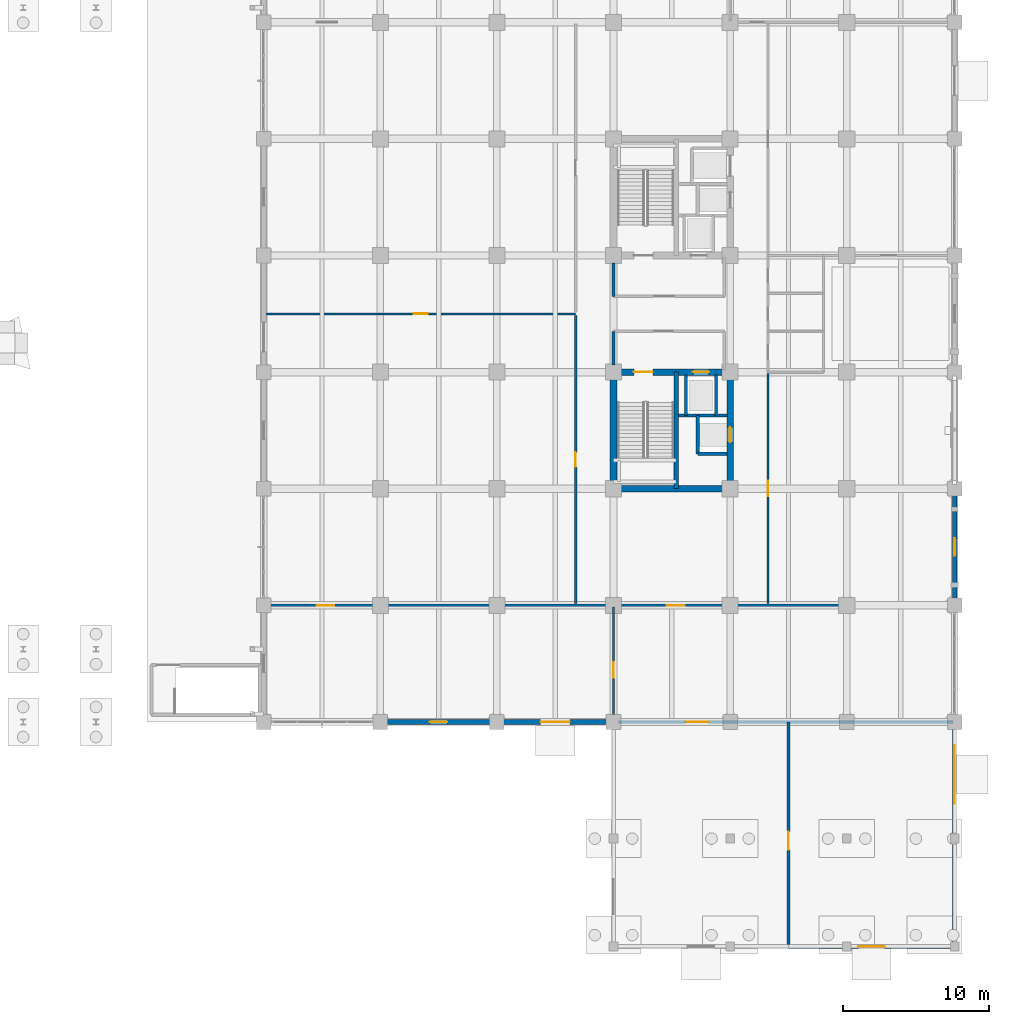
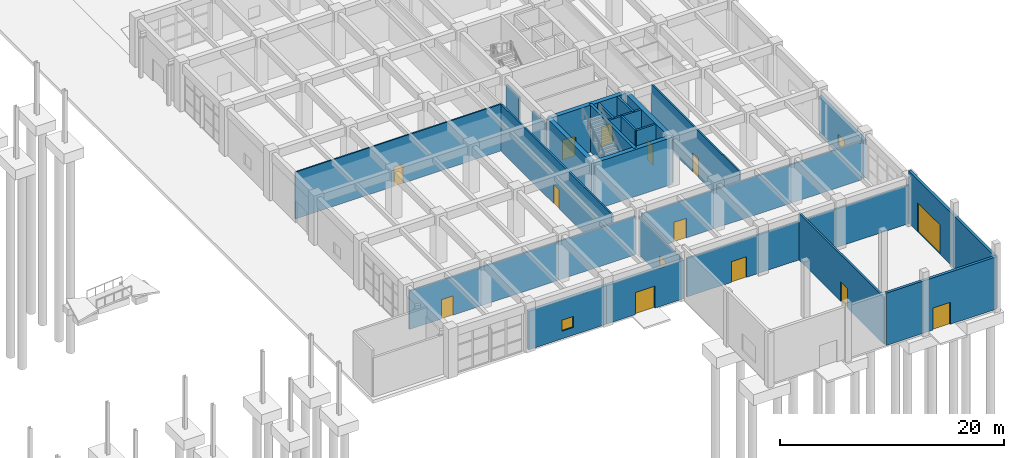
# One storey, part 76 of 90: 25 walls, 14 doors, 2 windows, 16 openings.
"""IFC4 building model written with IfcOpenShell, lengths in metres."""

from ifc_helpers import new_model, si_unit, direction, frame, frame_2d, origin, place, context, subcontext, project, spatial, rectangle, extrude, material, layer, layer_set, type_object, element, fill, save


model = new_model("IFC4")

# Units and contexts
model_context = context("Model", 3, precision=1e-05, world=origin(), true_north=direction((0.0, 1.0)))
body_context = subcontext(model_context, "Body", "Model", "MODEL_VIEW")
ifc_project = project(units=[si_unit("LENGTHUNIT", "METRE"), si_unit("AREAUNIT", "SQUARE_METRE"), si_unit("VOLUMEUNIT", "CUBIC_METRE"), si_unit("PLANEANGLEUNIT", "RADIAN"), si_unit("MASSUNIT", "GRAM", prefix="KILO")], contexts=[model_context])

# Site, building, storey
site_placement = place(None, origin())
site = spatial("IfcSite", under=ifc_project, at=site_placement, CompositionType="ELEMENT")
building_placement = place(site_placement, origin())
building = spatial("IfcBuilding", under=site, at=building_placement, Name="Canggui Botanical Conservatory", CompositionType="ELEMENT")
storey_placement = place(building_placement, origin())
storey = spatial("IfcBuildingStorey", under=building, at=storey_placement, Name="L01", CompositionType="ELEMENT", Elevation=0.0)

# Wall, opening, door
ifc_material_1 = material(Name="Precast Concrete C40", Category="concrete")
ifc_layer_1 = layer(ifc_material_1, 0.280029296875, Name="Precast Concrete C40", Category="concrete")
ifc_layer_set_1 = layer_set([ifc_layer_1], Name="Precast Concrete C40")
wall_type_1 = type_object("IfcWallType", Name="EW-280", PredefinedType="STANDARD", material=ifc_layer_set_1)
wall_1_placement = place(storey_placement, frame((177.39990234375, 10.60009765625, 0.0), z_axis=(0.0, 0.0, 1.0), x_axis=(-1.0, 0.0, 0.0)))
wall_1 = element("IfcWall", 1, at=wall_1_placement, inside=storey, type_object=wall_type_1, Name="South-East Wing Exterior Wall SE-S2", PredefinedType="STANDARD", context=body_context, shape_type="SweptSolid", body=[
    extrude(rectangle(XDim=11.39990234375, YDim=0.280029296875, at=frame_2d((5.699951171875, 0.0))), origin(), (0.0, 0.0, 1.0), 5.699951171875),
])
opening_1_placement = place(wall_1_placement, frame((4.800048828125, 0.0, 0.0)))
opening_1 = element("IfcOpeningElement", 2, at=opening_1_placement, cuts=wall_1, Name="Opening EX-B", PredefinedType="OPENING", context=body_context, shape_type="SweptSolid", body=[
    extrude(rectangle(XDim=1.800048828125, YDim=2.39990234375, at=frame_2d((0.89990234375, 1.199951171875))), frame((0.0, 0.14990234375, 0.0), z_axis=(0.0, -1.0, 0.0), x_axis=(1.0, 0.0, 0.0)), (0.0, 0.0, 1.0), 0.300048828125),
])
ifc_material_2 = material(Name="Anodised Aluminium", Category="aluminium")
door_type_1 = type_object("IfcDoorType", Name="EDR-EX18", OperationType="NOTDEFINED", PredefinedType="DOOR", material=ifc_material_2)
door_1_placement = place(opening_1_placement, origin())
door_1 = element("IfcDoor", 3, at=door_1_placement, inside=storey, type_object=door_type_1, Name="Fire Control and Quarantine Exit Door EX-07", OperationType="DOUBLE_DOOR_SINGLE_SWING", OverallHeight=2.39990234375, OverallWidth=1.800048828125, PredefinedType="DOOR", context=body_context, shape_type="SweptSolid", body=[
    extrude(rectangle(XDim=1.800048828125, YDim=2.39990234375, at=frame_2d((0.89990234375, 1.199951171875))), frame((0.0, 0.02490234375, 0.0), z_axis=(0.0, -1.0, 0.0), x_axis=(1.0, 0.0, 0.0)), (0.0, 0.0, 1.0), 0.050048828125),
])
fill(opening_1, door_1)

wall_2_placement = place(storey_placement, frame((177.39990234375, 26.0, 0.0), z_axis=(0.0, 0.0, 1.0), x_axis=(0.0, -1.0, 0.0)))
wall_2 = element("IfcWall", 4, at=wall_2_placement, inside=storey, type_object=wall_type_1, Name="South-East Wing Exterior Wall SE-E1", PredefinedType="STANDARD", context=body_context, shape_type="SweptSolid", body=[
    extrude(rectangle(XDim=15.39990234375, YDim=0.280029296875, at=frame_2d((7.699951171875, 0.0))), origin(), (0.0, 0.0, 1.0), 5.699951171875),
])
opening_2_placement = place(wall_2_placement, frame((1.60009765625, 0.0, 0.0)))
opening_2 = element("IfcOpeningElement", 5, at=opening_2_placement, cuts=wall_2, Name="Opening VG-02", PredefinedType="OPENING", context=body_context, shape_type="SweptSolid", body=[
    extrude(rectangle(XDim=4.0, YDim=3.199951171875, at=frame_2d((2.0, 1.60009765625))), frame((0.0, 0.14990234375, 0.0), z_axis=(0.0, -1.0, 0.0), x_axis=(1.0, 0.0, 0.0)), (0.0, 0.0, 1.0), 0.300048828125),
])
ifc_material_3 = material(Name="Powder-Coated Steel", Category="steel")
door_type_2 = type_object("IfcDoorType", Name="GATE-LDK", OperationType="NOTDEFINED", PredefinedType="GATE", material=ifc_material_3)
door_2_placement = place(opening_2_placement, origin())
door_2 = element("IfcDoor", 6, at=door_2_placement, inside=storey, type_object=door_type_2, Name="Quarantine Loading Dock Overhead Roller Shutter Gate VG-02", OperationType="ROLLINGUP", OverallHeight=3.199951171875, OverallWidth=4.0, PredefinedType="GATE", context=body_context, shape_type="SweptSolid", body=[
    extrude(rectangle(XDim=4.0, YDim=3.199951171875, at=frame_2d((2.0, 1.60009765625))), frame((0.0, 0.02490234375, 0.0), z_axis=(0.0, -1.0, 0.0), x_axis=(1.0, 0.0, 0.0)), (0.0, 0.0, 1.0), 0.050048828125),
])
fill(opening_2, door_2)

ifc_layer_2 = layer(ifc_material_1, 0.320068359375, Name="Precast Concrete C40", Category="concrete")
ifc_layer_set_2 = layer_set([ifc_layer_2], Name="Precast Concrete C40")
wall_type_2 = type_object("IfcWallType", Name="EW-320", PredefinedType="STANDARD", material=ifc_layer_set_2)
wall_3_placement = place(storey_placement, frame((154.0, 26.0, 0.0), z_axis=(0.0, 0.0, 1.0), x_axis=(-1.0, 0.0, 0.0)))
wall_3 = element("IfcWall", 7, at=wall_3_placement, inside=storey, type_object=wall_type_2, Name="Tower Insulated Exterior Wall L01-S1", PredefinedType="STANDARD", context=body_context, shape_type="SweptSolid", body=[
    extrude(rectangle(XDim=8.0, YDim=0.320068359375, at=frame_2d((4.0, 0.0))), origin(), (0.0, 0.0, 1.0), 4.199951171875),
])
opening_3_placement = place(wall_3_placement, frame((3.0, 0.0, 0.0)))
opening_3 = element("IfcOpeningElement", 8, at=opening_3_placement, cuts=wall_3, Name="Opening EX-A", PredefinedType="OPENING", context=body_context, shape_type="SweptSolid", body=[
    extrude(rectangle(XDim=2.0, YDim=2.39990234375, at=frame_2d((1.0, 1.199951171875))), frame((0.0, 0.169921875, 0.0), z_axis=(0.0, -1.0, 0.0), x_axis=(1.0, 0.0, 0.0)), (0.0, 0.0, 1.0), 0.340087890625),
])
door_type_3 = type_object("IfcDoorType", Name="EDR-EX20", OperationType="NOTDEFINED", PredefinedType="DOOR", material=ifc_material_2)
door_3_placement = place(opening_3_placement, origin())
door_3 = element("IfcDoor", 9, at=door_3_placement, inside=storey, type_object=door_type_3, Name="Tower Ground Pedestrian Exit Door EX-01", OperationType="DOUBLE_DOOR_SINGLE_SWING", OverallHeight=2.39990234375, OverallWidth=2.0, PredefinedType="DOOR", context=body_context, shape_type="SweptSolid", body=[
    extrude(rectangle(XDim=2.0, YDim=2.39990234375, at=frame_2d((1.0, 1.199951171875))), frame((0.0, 0.02490234375, 0.0), z_axis=(0.0, -1.0, 0.0), x_axis=(1.0, 0.0, 0.0)), (0.0, 0.0, 1.0), 0.050048828125),
])
fill(opening_3, door_3)

# Wall, opening, window
wall_4_placement = place(storey_placement, frame((146.0, 26.0, 0.0), z_axis=(0.0, 0.0, 1.0), x_axis=(-1.0, 0.0, 0.0)))
wall_4 = element("IfcWall", 10, at=wall_4_placement, inside=storey, type_object=wall_type_2, Name="Tower Insulated Exterior Wall L01-S2", PredefinedType="STANDARD", context=body_context, shape_type="SweptSolid", body=[
    extrude(rectangle(XDim=8.0, YDim=0.320068359375, at=frame_2d((4.0, 0.0))), origin(), (0.0, 0.0, 1.0), 4.199951171875),
])
opening_4_placement = place(wall_4_placement, frame((3.39990234375, 0.0, 0.85009765625)))
opening_4 = element("IfcOpeningElement", 11, at=opening_4_placement, cuts=wall_4, Name="Opening W-06", PredefinedType="OPENING", context=body_context, shape_type="SweptSolid", body=[
    extrude(rectangle(XDim=1.199951171875, YDim=1.199951171875, at=frame_2d((0.60009765625, 0.60009765625))), frame((0.0, 0.169921875, 0.0), z_axis=(0.0, -1.0, 0.0), x_axis=(1.0, 0.0, 0.0)), (0.0, 0.0, 1.0), 0.340087890625),
])
ifc_material_4 = material(Name="Low-E Insulated Glass", Category="glass")
window_type = type_object("IfcWindowType", Name="WIN-06", PartitioningType="SINGLE_PANEL", PredefinedType="WINDOW", material=ifc_material_4)
window_1_placement = place(opening_4_placement, origin())
window_1 = element("IfcWindow", 12, at=window_1_placement, inside=storey, type_object=window_type, Name="Tower Firefighter Rescue Window L01-2", OverallHeight=1.199951171875, OverallWidth=1.199951171875, PartitioningType="SINGLE_PANEL", PredefinedType="WINDOW", context=body_context, shape_type="SweptSolid", body=[
    extrude(rectangle(XDim=1.199951171875, YDim=1.199951171875, at=frame_2d((0.60009765625, 0.60009765625))), frame((0.0, 0.030029296875, 0.0), z_axis=(0.0, -1.0, 0.0), x_axis=(1.0, 0.0, 0.0)), (0.0, 0.0, 1.0), 0.06005859375),
])
fill(opening_4, window_1)

wall_5_placement = place(storey_placement, frame((177.39990234375, 42.0, 0.0), z_axis=(0.0, 0.0, 1.0), x_axis=(0.0, -1.0, 0.0)))
wall_5 = element("IfcWall", 13, at=wall_5_placement, inside=storey, type_object=wall_type_2, Name="Tower Insulated Exterior Wall L01-E20", PredefinedType="STANDARD", context=body_context, shape_type="SweptSolid", body=[
    extrude(rectangle(XDim=8.0, YDim=0.320068359375, at=frame_2d((4.0, 0.0))), origin(), (0.0, 0.0, 1.0), 4.14990234375),
])
opening_5_placement = place(wall_5_placement, frame((3.39990234375, 0.0, 0.85009765625)))
opening_5 = element("IfcOpeningElement", 14, at=opening_5_placement, cuts=wall_5, Name="Opening W-06", PredefinedType="OPENING", context=body_context, shape_type="SweptSolid", body=[
    extrude(rectangle(XDim=1.199951171875, YDim=1.199951171875, at=frame_2d((0.60009765625, 0.60009765625))), frame((0.0, 0.169921875, 0.0), z_axis=(0.0, -1.0, 0.0), x_axis=(1.0, 0.0, 0.0)), (0.0, 0.0, 1.0), 0.340087890625),
])
window_2_placement = place(opening_5_placement, origin())
window_2 = element("IfcWindow", 15, at=window_2_placement, inside=storey, type_object=window_type, Name="Tower Firefighter Rescue Window L01-20", OverallHeight=1.199951171875, OverallWidth=1.199951171875, PartitioningType="SINGLE_PANEL", PredefinedType="WINDOW", context=body_context, shape_type="SweptSolid", body=[
    extrude(rectangle(XDim=1.199951171875, YDim=1.199951171875, at=frame_2d((0.60009765625, 0.60009765625))), frame((0.0, 0.030029296875, 0.0), z_axis=(0.0, -1.0, 0.0), x_axis=(1.0, 0.0, 0.0)), (0.0, 0.0, 1.0), 0.06005859375),
])
fill(opening_5, window_2)

# Wall, opening, door
ifc_material_5 = material(Name="Gypsum Plasterboard Partition")
ifc_layer_3 = layer(ifc_material_5, 0.175048828125, Name="Gypsum Plasterboard Partition")
ifc_layer_set_3 = layer_set([ifc_layer_3], Name="Gypsum Plasterboard Partition")
wall_type_3 = type_object("IfcWallType", Name="IW-CORR-175", PredefinedType="STANDARD", material=ifc_layer_set_3)
wall_6_placement = place(storey_placement, frame((151.39990234375, 34.1201171875, 0.0), z_axis=(0.0, 0.0, 1.0), x_axis=(0.0, 1.0, 0.0)))
wall_6 = element("IfcWall", 16, at=wall_6_placement, inside=storey, type_object=wall_type_3, Name="L01 Tower Botanical Entrance Reception Hall Corridor Wall", PredefinedType="STANDARD", context=body_context, shape_type="SweptSolid", body=[
    extrude(rectangle(XDim=19.759765625, YDim=0.175048828125, at=frame_2d((9.8798828125, 0.0))), origin(), (0.0, 0.0, 1.0), 5.10009765625),
])
opening_6_placement = place(wall_6_placement, frame((9.3798828125, 0.0, 0.0)))
opening_6 = element("IfcOpeningElement", 17, at=opening_6_placement, cuts=wall_6, Name="Opening FD-03", PredefinedType="OPENING", context=body_context, shape_type="SweptSolid", body=[
    extrude(rectangle(XDim=1.0, YDim=2.10009765625, at=frame_2d((0.5, 1.050048828125))), frame((0.0, 0.09765625, 0.0), z_axis=(0.0, -1.0, 0.0), x_axis=(1.0, 0.0, 0.0)), (0.0, 0.0, 1.0), 0.195068359375),
])
door_type_4 = type_object("IfcDoorType", Name="FD-03", OperationType="NOTDEFINED", PredefinedType="DOOR", material=ifc_material_3)
door_4_placement = place(opening_6_placement, origin())
door_4 = element("IfcDoor", 18, at=door_4_placement, inside=storey, type_object=door_type_4, Name="L01 Tower Botanical Entrance Reception Hall Entrance Door", OperationType="SINGLE_SWING_RIGHT", OverallHeight=2.10009765625, OverallWidth=1.0, PredefinedType="DOOR", context=body_context, shape_type="SweptSolid", body=[
    extrude(rectangle(XDim=1.0, YDim=2.10009765625, at=frame_2d((0.5, 1.050048828125))), frame((0.0, 0.02490234375, 0.0), z_axis=(0.0, -1.0, 0.0), x_axis=(1.0, 0.0, 0.0)), (0.0, 0.0, 1.0), 0.050048828125),
])
fill(opening_6, door_4)

wall_7_placement = place(storey_placement, frame((130.35009765625, 34.0, 0.0), z_axis=(0.0, 0.0, 1.0), x_axis=(1.0, 0.0, 0.0)))
wall_7 = element("IfcWall", 19, at=wall_7_placement, inside=storey, type_object=wall_type_3, Name="L01 Security Operations Room South Suite Wall", PredefinedType="STANDARD", context=body_context, shape_type="SweptSolid", body=[
    extrude(rectangle(XDim=23.2998046875, YDim=0.175048828125, at=frame_2d((11.64990234375, 0.0))), origin(), (0.0, 0.0, 1.0), 4.199951171875),
])
opening_7_placement = place(wall_7_placement, frame((3.300048828125, 0.0, 0.0)))
opening_7 = element("IfcOpeningElement", 20, at=opening_7_placement, cuts=wall_7, Name="Opening FD-07", PredefinedType="OPENING", context=body_context, shape_type="SweptSolid", body=[
    extrude(rectangle(XDim=1.199951171875, YDim=2.10009765625, at=frame_2d((0.60009765625, 1.050048828125))), frame((0.0, 0.09765625, 0.0), z_axis=(0.0, -1.0, 0.0), x_axis=(1.0, 0.0, 0.0)), (0.0, 0.0, 1.0), 0.195068359375),
])
door_type_5 = type_object("IfcDoorType", Name="FD-07", OperationType="NOTDEFINED", PredefinedType="DOOR", material=ifc_material_3)
door_5_placement = place(opening_7_placement, origin())
door_5 = element("IfcDoor", 21, at=door_5_placement, inside=storey, type_object=door_type_5, Name="Interior Door IW-L01-SCOR-1", OperationType="SINGLE_SWING_RIGHT", OverallHeight=2.10009765625, OverallWidth=1.199951171875, PredefinedType="DOOR", context=body_context, shape_type="SweptSolid", body=[
    extrude(rectangle(XDim=1.199951171875, YDim=2.10009765625, at=frame_2d((0.60009765625, 1.050048828125))), frame((0.0, 0.02490234375, 0.0), z_axis=(0.0, -1.0, 0.0), x_axis=(1.0, 0.0, 0.0)), (0.0, 0.0, 1.0), 0.050048828125),
])
fill(opening_7, door_5)

wall_8_placement = place(storey_placement, frame((154.35009765625, 34.0, 0.0), z_axis=(0.0, 0.0, 1.0), x_axis=(1.0, 0.0, 0.0)))
wall_8 = element("IfcWall", 22, at=wall_8_placement, inside=storey, type_object=wall_type_3, Name="L01 Botanical Security and Dispatch Office South Suite Wall", PredefinedType="STANDARD", context=body_context, shape_type="SweptSolid", body=[
    extrude(rectangle(XDim=22.699951171875, YDim=0.175048828125, at=frame_2d((11.35009765625, 0.0))), origin(), (0.0, 0.0, 1.0), 4.199951171875),
])
opening_8_placement = place(wall_8_placement, frame((3.300048828125, 0.0, 0.0)))
opening_8 = element("IfcOpeningElement", 23, at=opening_8_placement, cuts=wall_8, Name="Opening FD-08", PredefinedType="OPENING", context=body_context, shape_type="SweptSolid", body=[
    extrude(rectangle(XDim=1.25, YDim=2.14990234375, at=frame_2d((0.625, 1.074951171875))), frame((0.0, 0.09765625, 0.0), z_axis=(0.0, -1.0, 0.0), x_axis=(1.0, 0.0, 0.0)), (0.0, 0.0, 1.0), 0.195068359375),
])
door_type_6 = type_object("IfcDoorType", Name="FD-08", OperationType="NOTDEFINED", PredefinedType="DOOR", material=ifc_material_3)
door_6_placement = place(opening_8_placement, origin())
door_6 = element("IfcDoor", 24, at=door_6_placement, inside=storey, type_object=door_type_6, Name="Interior Door IW-L01-SCOR-2", OperationType="SINGLE_SWING_RIGHT", OverallHeight=2.14990234375, OverallWidth=1.25, PredefinedType="DOOR", context=body_context, shape_type="SweptSolid", body=[
    extrude(rectangle(XDim=1.25, YDim=2.14990234375, at=frame_2d((0.625, 1.074951171875))), frame((0.0, 0.02490234375, 0.0), z_axis=(0.0, -1.0, 0.0), x_axis=(1.0, 0.0, 0.0)), (0.0, 0.0, 1.0), 0.050048828125),
])
fill(opening_8, door_6)

ifc_layer_4 = layer(ifc_material_5, 0.155029296875, Name="Gypsum Plasterboard Partition")
ifc_layer_set_4 = layer_set([ifc_layer_4], Name="Gypsum Plasterboard Partition")
wall_type_4 = type_object("IfcWallType", Name="IW-LAB-155", PredefinedType="STANDARD", material=ifc_layer_set_4)
wall_9_placement = place(storey_placement, frame((164.60009765625, 34.1201171875, 0.0), z_axis=(0.0, 0.0, 1.0), x_axis=(0.0, 1.0, 0.0)))
wall_9 = element("IfcWall", 25, at=wall_9_placement, inside=storey, type_object=wall_type_4, Name="L01 Botanical Curatorial Reference Room Lab Wall", PredefinedType="STANDARD", context=body_context, shape_type="SweptSolid", body=[
    extrude(rectangle(XDim=15.7998046875, YDim=0.155029296875, at=frame_2d((7.89990234375, 0.0))), origin(), (0.0, 0.0, 1.0), 5.10009765625),
])
opening_9_placement = place(wall_9_placement, frame((7.375, 0.0, 0.0)))
opening_9 = element("IfcOpeningElement", 26, at=opening_9_placement, cuts=wall_9, Name="Opening FD-04", PredefinedType="OPENING", context=body_context, shape_type="SweptSolid", body=[
    extrude(rectangle(XDim=1.050048828125, YDim=2.10009765625, at=frame_2d((0.52490234375, 1.050048828125))), frame((0.0, 0.08740234375, 0.0), z_axis=(0.0, -1.0, 0.0), x_axis=(1.0, 0.0, 0.0)), (0.0, 0.0, 1.0), 0.175048828125),
])
door_type_7 = type_object("IfcDoorType", Name="FD-04", OperationType="NOTDEFINED", PredefinedType="DOOR", material=ifc_material_3)
door_7_placement = place(opening_9_placement, origin())
door_7 = element("IfcDoor", 27, at=door_7_placement, inside=storey, type_object=door_type_7, Name="Interior Door IW-L01-ECOR-1-1", OperationType="SINGLE_SWING_LEFT", OverallHeight=2.10009765625, OverallWidth=1.050048828125, PredefinedType="DOOR", context=body_context, shape_type="SweptSolid", body=[
    extrude(rectangle(XDim=1.050048828125, YDim=2.10009765625, at=frame_2d((0.52490234375, 1.050048828125))), frame((0.0, 0.02490234375, 0.0), z_axis=(0.0, -1.0, 0.0), x_axis=(1.0, 0.0, 0.0)), (0.0, 0.0, 1.0), 0.050048828125),
])
fill(opening_9, door_7)

ifc_material_6 = material(Name="Concrete C35", Category="concrete")
ifc_layer_5 = layer(ifc_material_6, 0.195068359375, Name="Concrete C35", Category="concrete")
ifc_layer_set_5 = layer_set([ifc_layer_5], Name="Concrete C35")
wall_type_5 = type_object("IfcWallType", Name="IW-LOBBY-195", PredefinedType="STANDARD", material=ifc_layer_set_5)
wall_10_placement = place(storey_placement, frame((166.0, 10.719970703125, 0.0), z_axis=(0.0, 0.0, 1.0), x_axis=(0.0, 1.0, 0.0)))
wall_10 = element("IfcWall", 28, at=wall_10_placement, inside=storey, type_object=wall_type_5, Name="Fire Control Room EI 120 Compartment Wall", PredefinedType="STANDARD", context=body_context, shape_type="SweptSolid", body=[
    extrude(rectangle(XDim=15.280029296875, YDim=0.195068359375, at=frame_2d((7.64013671875, 0.0))), origin(), (0.0, 0.0, 1.0), 5.10009765625),
])
opening_10_placement = place(wall_10_placement, frame((6.5, 0.0, 0.0)))
opening_10 = element("IfcOpeningElement", 29, at=opening_10_placement, cuts=wall_10, Name="Opening FD-08", PredefinedType="OPENING", context=body_context, shape_type="SweptSolid", body=[
    extrude(rectangle(XDim=1.25, YDim=2.14990234375, at=frame_2d((0.625, 1.074951171875))), frame((0.0, 0.107421875, 0.0), z_axis=(0.0, -1.0, 0.0), x_axis=(1.0, 0.0, 0.0)), (0.0, 0.0, 1.0), 0.215087890625),
])
door_8_placement = place(opening_10_placement, origin())
door_8 = element("IfcDoor", 30, at=door_8_placement, inside=storey, type_object=door_type_6, Name="Interior Door IW-SE-FCR", OperationType="SINGLE_SWING_RIGHT", OverallHeight=2.14990234375, OverallWidth=1.25, PredefinedType="DOOR", context=body_context, shape_type="SweptSolid", body=[
    extrude(rectangle(XDim=1.25, YDim=2.14990234375, at=frame_2d((0.625, 1.074951171875))), frame((0.0, 0.02490234375, 0.0), z_axis=(0.0, -1.0, 0.0), x_axis=(1.0, 0.0, 0.0)), (0.0, 0.0, 1.0), 0.050048828125),
])
fill(opening_10, door_8)

wall_11_placement = place(storey_placement, frame((154.35009765625, 26.0, 0.0), z_axis=(0.0, 0.0, 1.0), x_axis=(1.0, 0.0, 0.0)))
wall_11 = element("IfcWall", 31, at=wall_11_placement, inside=storey, type_object=wall_type_5, Name="Tower-to-Quarantine Compartment Wall", PredefinedType="STANDARD", context=body_context, shape_type="SweptSolid", body=[
    extrude(rectangle(XDim=22.929931640625, YDim=0.195068359375, at=frame_2d((11.46484375, 0.0))), origin(), (0.0, 0.0, 1.0), 4.199951171875),
])
opening_11_placement = place(wall_11_placement, frame((4.60009765625, 0.0, 0.0)))
opening_11 = element("IfcOpeningElement", 32, at=opening_11_placement, cuts=wall_11, Name="Opening FD-14", PredefinedType="OPENING", context=body_context, shape_type="SweptSolid", body=[
    extrude(rectangle(XDim=1.550048828125, YDim=2.25, at=frame_2d((0.77490234375, 1.125))), frame((0.0, 0.107421875, 0.0), z_axis=(0.0, -1.0, 0.0), x_axis=(1.0, 0.0, 0.0)), (0.0, 0.0, 1.0), 0.215087890625),
])
door_type_8 = type_object("IfcDoorType", Name="FD-14", OperationType="NOTDEFINED", PredefinedType="DOOR", material=ifc_material_3)
door_9_placement = place(opening_11_placement, origin())
door_9 = element("IfcDoor", 33, at=door_9_placement, inside=storey, type_object=door_type_8, Name="Interior Door IW-SE-N", OperationType="SINGLE_SWING_LEFT", OverallHeight=2.25, OverallWidth=1.550048828125, PredefinedType="DOOR", context=body_context, shape_type="SweptSolid", body=[
    extrude(rectangle(XDim=1.550048828125, YDim=2.25, at=frame_2d((0.77490234375, 1.125))), frame((0.0, 0.02490234375, 0.0), z_axis=(0.0, -1.0, 0.0), x_axis=(1.0, 0.0, 0.0)), (0.0, 0.0, 1.0), 0.050048828125),
])
fill(opening_11, door_9)

# Walls
for number, where, z_axis, x_axis, name in (
    (34, (154.0, 50.5, 0.0), (0.0, 0.0, 1.0), (0.0, 1.0, 0.0), "L01 South Firefighting Lift Lobby West Wall"),
    (35, (154.0, 55.199951171875, 0.0), (0.0, 0.0, 1.0), (0.0, 1.0, 0.0), "L01 North Firefighting Lift Lobby West Wall"),
):
    element("IfcWall", number, at=place(storey_placement, frame(where, z_axis=z_axis, x_axis=x_axis)), inside=storey, type_object=wall_type_5, Name=name, PredefinedType="STANDARD", context=body_context, shape_type="SweptSolid", body=[
        extrude(rectangle(XDim=2.300048828125, YDim=0.195068359375, at=frame_2d((1.14990234375, 0.0))), origin(), (0.0, 0.0, 1.0), 4.14990234375),
    ])

# Wall, opening, door
ifc_layer_6 = layer(ifc_material_5, 0.139892578125, Name="Gypsum Plasterboard Partition")
ifc_layer_set_6 = layer_set([ifc_layer_6], Name="Gypsum Plasterboard Partition")
wall_type_6 = type_object("IfcWallType", Name="IW-PART-140", PredefinedType="STANDARD", material=ifc_layer_set_6)
wall_12_placement = place(storey_placement, frame((130.1201171875, 54.0, 0.0), z_axis=(0.0, 0.0, 1.0), x_axis=(1.0, 0.0, 0.0)))
wall_12 = element("IfcWall", 36, at=wall_12_placement, inside=storey, type_object=wall_type_6, Name="L01 Tower Botanical Entrance Reception Hall Cross Partition", PredefinedType="STANDARD", context=body_context, shape_type="SweptSolid", body=[
    extrude(rectangle(XDim=21.27978515625, YDim=0.139892578125, at=frame_2d((10.639892578125, 0.0))), origin(), (0.0, 0.0, 1.0), 5.10009765625),
])
opening_12_placement = place(wall_12_placement, frame((10.159912109375, 0.0, 0.0)))
opening_12 = element("IfcOpeningElement", 37, at=opening_12_placement, cuts=wall_12, Name="Opening ID-03", PredefinedType="OPENING", context=body_context, shape_type="SweptSolid", body=[
    extrude(rectangle(XDim=0.9599609375, YDim=2.080078125, at=frame_2d((0.47998046875, 1.0400390625))), frame((0.0, 0.080078125, 0.0), z_axis=(0.0, -1.0, 0.0), x_axis=(1.0, 0.0, 0.0)), (0.0, 0.0, 1.0), 0.159912109375),
])
ifc_material_7 = material(Name="Engineered Timber Veneer", Category="wood")
door_type_9 = type_object("IfcDoorType", Name="ID-03", OperationType="NOTDEFINED", PredefinedType="DOOR", material=ifc_material_7)
door_10_placement = place(opening_12_placement, origin())
door_10 = element("IfcDoor", 38, at=door_10_placement, inside=storey, type_object=door_type_9, Name="L01 Tower Botanical Entrance Reception Hall Interconnecting Door", OperationType="SINGLE_SWING_LEFT", OverallHeight=2.080078125, OverallWidth=0.9599609375, PredefinedType="DOOR", context=body_context, shape_type="SweptSolid", body=[
    extrude(rectangle(XDim=0.9599609375, YDim=2.080078125, at=frame_2d((0.47998046875, 1.0400390625))), frame((0.0, 0.02490234375, 0.0), z_axis=(0.0, -1.0, 0.0), x_axis=(1.0, 0.0, 0.0)), (0.0, 0.0, 1.0), 0.050048828125),
])
fill(opening_12, door_10)

wall_13_placement = place(storey_placement, frame((154.0, 26.050048828125, 0.0), z_axis=(0.0, 0.0, 1.0), x_axis=(0.0, 1.0, 0.0)))
wall_13 = element("IfcWall", 39, at=wall_13_placement, inside=storey, type_object=wall_type_6, Name="L01 Security Operations Room South Cross Wall", PredefinedType="STANDARD", context=body_context, shape_type="SweptSolid", body=[
    extrude(rectangle(XDim=7.829833984375, YDim=0.139892578125, at=frame_2d((3.9150390625, 0.0))), origin(), (0.0, 0.0, 1.0), 4.14990234375),
])
opening_13_placement = place(wall_13_placement, frame((3.0, 0.0, 0.0)))
opening_13 = element("IfcOpeningElement", 40, at=opening_13_placement, cuts=wall_13, Name="Opening ID-05", PredefinedType="OPENING", context=body_context, shape_type="SweptSolid", body=[
    extrude(rectangle(XDim=1.06005859375, YDim=2.1201171875, at=frame_2d((0.530029296875, 1.06005859375))), frame((0.0, 0.080078125, 0.0), z_axis=(0.0, -1.0, 0.0), x_axis=(1.0, 0.0, 0.0)), (0.0, 0.0, 1.0), 0.159912109375),
])
door_type_10 = type_object("IfcDoorType", Name="ID-05", OperationType="NOTDEFINED", PredefinedType="DOOR", material=ifc_material_7)
door_11_placement = place(opening_13_placement, origin())
door_11 = element("IfcDoor", 41, at=door_11_placement, inside=storey, type_object=door_type_10, Name="Interior Door IW-L01-SDIV-1", OperationType="SINGLE_SWING_LEFT", OverallHeight=2.1201171875, OverallWidth=1.06005859375, PredefinedType="DOOR", context=body_context, shape_type="SweptSolid", body=[
    extrude(rectangle(XDim=1.06005859375, YDim=2.1201171875, at=frame_2d((0.530029296875, 1.06005859375))), frame((0.0, 0.02490234375, 0.0), z_axis=(0.0, -1.0, 0.0), x_axis=(1.0, 0.0, 0.0)), (0.0, 0.0, 1.0), 0.050048828125),
])
fill(opening_13, door_11)

# Walls
ifc_layer_7 = layer(ifc_material_6, 0.215087890625, Name="Concrete C35", Category="concrete")
ifc_layer_set_7 = layer_set([ifc_layer_7], Name="Concrete C35")
wall_type_7 = type_object("IfcWallType", Name="IW-SHAFT-215", PredefinedType="STANDARD", material=ifc_layer_set_7)
wall_14_placement = place(storey_placement, frame((158.449951171875, 47.02001953125, 0.0), z_axis=(0.0, 0.0, 1.0), x_axis=(1.0, 0.0, 0.0)))
element("IfcWall", 42, at=wall_14_placement, inside=storey, type_object=wall_type_7, Name="Core T1 Lift Shaft Divider L01", PredefinedType="STANDARD", context=body_context, shape_type="SweptSolid", body=[
    extrude(rectangle(XDim=3.35009765625, YDim=0.215087890625, at=frame_2d((1.675048828125, 0.0))), origin(), (0.0, 0.0, 1.0), 5.10009765625),
])
for number, where, z_axis, x_axis, name in (
    (43, (158.97998046875, 47.02001953125, 0.0), (0.0, 0.0, 1.0), (0.0, 1.0, 0.0), "Core T1 FL-01 West Shaft Wall L01"),
    (44, (161.02001953125, 47.02001953125, 0.0), (0.0, 0.0, 1.0), (0.0, 1.0, 0.0), "Core T1 FL-01 East Shaft Wall L01"),
):
    element("IfcWall", number, at=place(storey_placement, frame(where, z_axis=z_axis, x_axis=x_axis)), inside=storey, type_object=wall_type_7, Name=name, PredefinedType="STANDARD", context=body_context, shape_type="SweptSolid", body=[
        extrude(rectangle(XDim=2.780029296875, YDim=0.215087890625, at=frame_2d((1.39013671875, 0.0))), origin(), (0.0, 0.0, 1.0), 5.10009765625),
    ])
wall_15_placement = place(storey_placement, frame((159.780029296875, 44.39990234375, 0.0), z_axis=(0.0, 0.0, 1.0), x_axis=(0.0, 1.0, 0.0)))
element("IfcWall", 45, at=wall_15_placement, inside=storey, type_object=wall_type_7, Name="Core T1 PL-01 West Shaft Wall L01", PredefinedType="STANDARD", context=body_context, shape_type="SweptSolid", body=[
    extrude(rectangle(XDim=2.6201171875, YDim=0.215087890625, at=frame_2d((1.31005859375, 0.0))), origin(), (0.0, 0.0, 1.0), 5.10009765625),
])
wall_16_placement = place(storey_placement, frame((159.780029296875, 44.39990234375, 0.0), z_axis=(0.0, 0.0, 1.0), x_axis=(1.0, 0.0, 0.0)))
element("IfcWall", 46, at=wall_16_placement, inside=storey, type_object=wall_type_7, Name="Core T1 PL-01 South Shaft Wall L01", PredefinedType="STANDARD", context=body_context, shape_type="SweptSolid", body=[
    extrude(rectangle(XDim=2.02001953125, YDim=0.215087890625, at=frame_2d((1.010009765625, 0.0))), origin(), (0.0, 0.0, 1.0), 5.10009765625),
])
ifc_layer_8 = layer(ifc_material_6, 0.280029296875, Name="Concrete C35", Category="concrete")
ifc_layer_set_8 = layer_set([ifc_layer_8], Name="Concrete C35")
wall_type_8 = type_object("IfcWallType", Name="WALL-SH-280-C35", PredefinedType="SHEAR", material=ifc_layer_set_8)
wall_17_placement = place(storey_placement, frame((158.300048828125, 42.0, 0.0), z_axis=(0.0, 0.0, 1.0), x_axis=(0.0, 1.0, 0.0)))
element("IfcWall", 47, at=wall_17_placement, inside=storey, type_object=wall_type_8, Name="Core T1 Internal Shear Web L01", PredefinedType="SHEAR", context=body_context, shape_type="SweptSolid", body=[
    extrude(rectangle(XDim=8.0, YDim=0.280029296875, at=frame_2d((4.0, 0.0))), origin(), (0.0, 0.0, 1.0), 5.1201171875),
])
ifc_material_8 = material(Name="Concrete C50", Category="concrete")
ifc_layer_9 = layer(ifc_material_8, 0.449951171875, Name="Concrete C50", Category="concrete")
ifc_layer_set_9 = layer_set([ifc_layer_9], Name="Concrete C50")
wall_type_9 = type_object("IfcWallType", Name="WALL-SH-450-C50", PredefinedType="SHEAR", material=ifc_layer_set_9)
wall_18_placement = place(storey_placement, frame((154.0, 42.0, 0.0), z_axis=(0.0, 0.0, 1.0), x_axis=(1.0, 0.0, 0.0)))
element("IfcWall", 48, at=wall_18_placement, inside=storey, type_object=wall_type_9, Name="Core T1 Shear Wall L01-S", PredefinedType="SHEAR", context=body_context, shape_type="SweptSolid", body=[
    extrude(rectangle(XDim=8.0, YDim=0.449951171875, at=frame_2d((4.0, 0.0))), origin(), (0.0, 0.0, 1.0), 5.1201171875),
])

# Wall, opening, door
wall_19_placement = place(storey_placement, frame((162.0, 42.0, 0.0), z_axis=(0.0, 0.0, 1.0), x_axis=(0.0, 1.0, 0.0)))
wall_19 = element("IfcWall", 49, at=wall_19_placement, inside=storey, type_object=wall_type_9, Name="Core T1 Shear Wall L01-E", PredefinedType="SHEAR", context=body_context, shape_type="SweptSolid", body=[
    extrude(rectangle(XDim=8.0, YDim=0.449951171875, at=frame_2d((4.0, 0.0))), origin(), (0.0, 0.0, 1.0), 5.1201171875),
])
opening_14_placement = place(wall_19_placement, frame((3.175048828125, 0.0, 0.0)))
opening_14 = element("IfcOpeningElement", 50, at=opening_14_placement, cuts=wall_19, Name="Opening LD-02", PredefinedType="OPENING", context=body_context, shape_type="SweptSolid", body=[
    extrude(rectangle(XDim=1.050048828125, YDim=2.199951171875, at=frame_2d((0.52490234375, 1.10009765625))), frame((0.0, 0.23486328125, 0.0), z_axis=(0.0, -1.0, 0.0), x_axis=(1.0, 0.0, 0.0)), (0.0, 0.0, 1.0), 0.469970703125),
])
ifc_material_9 = material(Name="Stainless Steel 304", Category="steel")
door_type_11 = type_object("IfcDoorType", Name="LDR-02", OperationType="NOTDEFINED", PredefinedType="DOOR", material=ifc_material_9)
door_12_placement = place(opening_14_placement, origin())
door_12 = element("IfcDoor", 51, at=door_12_placement, inside=storey, type_object=door_type_11, Name="Passenger Lift PL-01 Landing Door L01", OperationType="SLIDING_TO_LEFT", OverallHeight=2.199951171875, OverallWidth=1.050048828125, PredefinedType="DOOR", context=body_context, shape_type="SweptSolid", body=[
    extrude(rectangle(XDim=1.050048828125, YDim=2.199951171875, at=frame_2d((0.52490234375, 1.10009765625))), frame((0.0, 0.02490234375, 0.0), z_axis=(0.0, -1.0, 0.0), x_axis=(1.0, 0.0, 0.0)), (0.0, 0.0, 1.0), 0.050048828125),
])
fill(opening_14, door_12)

# Wall, openings, doors
wall_20_placement = place(storey_placement, frame((162.0, 50.0, 0.0), z_axis=(0.0, 0.0, 1.0), x_axis=(-1.0, 0.0, 0.0)))
wall_20 = element("IfcWall", 52, at=wall_20_placement, inside=storey, type_object=wall_type_9, Name="Core T1 Shear Wall L01-N", PredefinedType="SHEAR", context=body_context, shape_type="SweptSolid", body=[
    extrude(rectangle(XDim=8.0, YDim=0.449951171875, at=frame_2d((4.0, 0.0))), origin(), (0.0, 0.0, 1.0), 5.1201171875),
])
opening_15_placement = place(wall_20_placement, frame((5.300048828125, 0.0, 0.0)))
opening_15 = element("IfcOpeningElement", 53, at=opening_15_placement, cuts=wall_20, Name="Opening FD-09", PredefinedType="OPENING", context=body_context, shape_type="SweptSolid", body=[
    extrude(rectangle(XDim=1.300048828125, YDim=2.14990234375, at=frame_2d((0.64990234375, 1.074951171875))), frame((0.0, 0.23486328125, 0.0), z_axis=(0.0, -1.0, 0.0), x_axis=(1.0, 0.0, 0.0)), (0.0, 0.0, 1.0), 0.469970703125),
])
opening_16_placement = place(wall_20_placement, frame((1.449951171875, 0.0, 0.0)))
opening_16 = element("IfcOpeningElement", 54, at=opening_16_placement, cuts=wall_20, Name="Opening LD-01", PredefinedType="OPENING", context=body_context, shape_type="SweptSolid", body=[
    extrude(rectangle(XDim=1.10009765625, YDim=2.199951171875, at=frame_2d((0.550048828125, 1.10009765625))), frame((0.0, 0.23486328125, 0.0), z_axis=(0.0, -1.0, 0.0), x_axis=(1.0, 0.0, 0.0)), (0.0, 0.0, 1.0), 0.469970703125),
])
door_type_12 = type_object("IfcDoorType", Name="FD-09", OperationType="NOTDEFINED", PredefinedType="DOOR", material=ifc_material_3)
door_13_placement = place(opening_15_placement, origin())
door_13 = element("IfcDoor", 55, at=door_13_placement, inside=storey, type_object=door_type_12, Name="Tower South Smoke-Proof Stair Door L01", OperationType="SINGLE_SWING_LEFT", OverallHeight=2.14990234375, OverallWidth=1.300048828125, PredefinedType="DOOR", context=body_context, shape_type="SweptSolid", body=[
    extrude(rectangle(XDim=1.300048828125, YDim=2.14990234375, at=frame_2d((0.64990234375, 1.074951171875))), frame((0.0, 0.02490234375, 0.0), z_axis=(0.0, -1.0, 0.0), x_axis=(1.0, 0.0, 0.0)), (0.0, 0.0, 1.0), 0.050048828125),
])
fill(opening_15, door_13)
door_type_13 = type_object("IfcDoorType", Name="LDR-01", OperationType="NOTDEFINED", PredefinedType="DOOR", material=ifc_material_9)
door_14_placement = place(opening_16_placement, origin())
door_14 = element("IfcDoor", 56, at=door_14_placement, inside=storey, type_object=door_type_13, Name="Firefighting Lift FL-01 Landing Door L01", OperationType="SLIDING_TO_LEFT", OverallHeight=2.199951171875, OverallWidth=1.10009765625, PredefinedType="DOOR", context=body_context, shape_type="SweptSolid", body=[
    extrude(rectangle(XDim=1.10009765625, YDim=2.199951171875, at=frame_2d((0.550048828125, 1.10009765625))), frame((0.0, 0.02490234375, 0.0), z_axis=(0.0, -1.0, 0.0), x_axis=(1.0, 0.0, 0.0)), (0.0, 0.0, 1.0), 0.050048828125),
])
fill(opening_16, door_14)

# Wall
wall_21_placement = place(storey_placement, frame((154.0, 50.0, 0.0), z_axis=(0.0, 0.0, 1.0), x_axis=(0.0, -1.0, 0.0)))
element("IfcWall", 57, at=wall_21_placement, inside=storey, type_object=wall_type_9, Name="Core T1 Shear Wall L01-W", PredefinedType="SHEAR", context=body_context, shape_type="SweptSolid", body=[
    extrude(rectangle(XDim=8.0, YDim=0.449951171875, at=frame_2d((4.0, 0.0))), origin(), (0.0, 0.0, 1.0), 5.1201171875),
])

save(model, "model.ifc")
